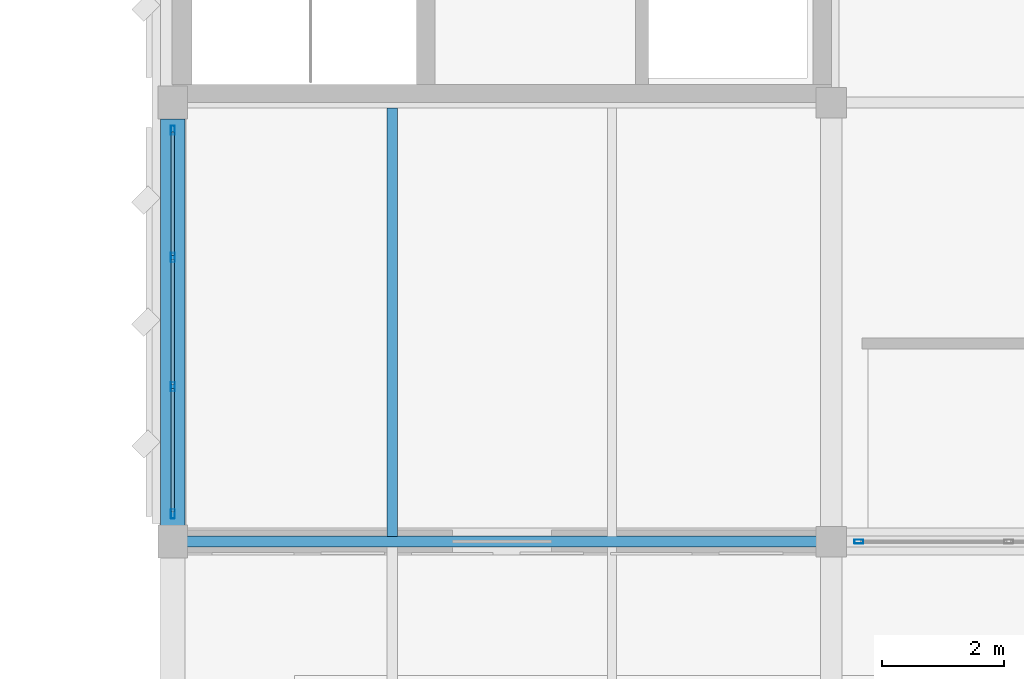
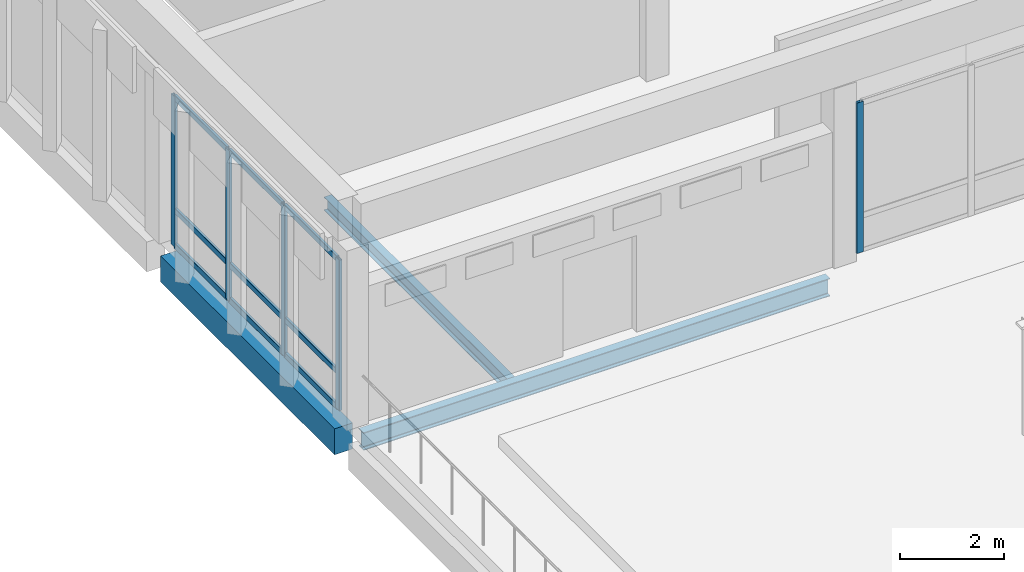
# One storey, part 8 of 33: 14 members, 3 beams, 2 elements without a shape of their own.
"""IFC4 building model written with IfcOpenShell, lengths in metres."""

from ifc_helpers import new_model, si_unit, direction, frame, origin, origin_2d, place, context, subcontext, project, spatial, rectangle, hollow_rectangle, i_section, extrude, material, material_profile, profile_set, type_object, element, aggregate, save


model = new_model("IFC4")

# Units and contexts
model_context = context("Model", 3, precision=1e-05, world=origin(), true_north=direction((0.0, 1.0)))
body_context = subcontext(model_context, "Body", "Model", "MODEL_VIEW")
ifc_project = project(units=[si_unit("LENGTHUNIT", "METRE"), si_unit("AREAUNIT", "SQUARE_METRE"), si_unit("VOLUMEUNIT", "CUBIC_METRE"), si_unit("PLANEANGLEUNIT", "RADIAN"), si_unit("MASSUNIT", "GRAM", prefix="KILO")], contexts=[model_context])

# Site, building, storey
site_placement = place(None, origin())
site = spatial("IfcSite", under=ifc_project, at=site_placement, CompositionType="ELEMENT")
building_placement = place(site_placement, origin())
building = spatial("IfcBuilding", under=site, at=building_placement, Name="Lusvemor Sports Hall", CompositionType="ELEMENT")
storey_placement = place(building_placement, frame((0.0, 0.0, 19.199951171875)))
storey = spatial("IfcBuildingStorey", under=building, at=storey_placement, Name="L04", CompositionType="ELEMENT", Elevation=19.199951171875)

# Beam
ifc_material_1 = material(Name="Steel S355", Category="steel")
ifc_material_profile_1 = material_profile(ifc_material_1, i_section(OverallWidth=0.180908203125, OverallDepth=0.4169921875, WebThickness=0.010986328125, FlangeThickness=0.018310546875, FilletRadius=0.01611328125, at=origin_2d()), Name="W410x85.0")
ifc_profile_set_1 = profile_set([ifc_material_profile_1], Name="Steel S355")
beam_type_1 = type_object("IfcBeamType", Name="BEAM_ST_410H", PredefinedType="BEAM", material=ifc_profile_set_1)
beam_1_placement = place(storey_placement, frame((0.236083984375, 97.199951171875, -0.52734375), z_axis=(1.0, 0.0, 0.0), x_axis=(0.0, 1.0, 0.0)))
element("IfcBeam", 1, at=beam_1_placement, inside=storey, type_object=beam_type_1, Name="Beam L04 N:1-2", PredefinedType="BEAM", context=body_context, shape_type="SweptSolid", body=[
    extrude(i_section(OverallWidth=0.180908203125, OverallDepth=0.4169921875, WebThickness=0.010986328125, FlangeThickness=0.018310546875, FilletRadius=0.01611328125, at=origin_2d()), origin(), (0.0, 0.0, 1.0), 10.31787109375),
])

# Curtain wall, members
ifc_material_2 = material(Name="Thermally broken bronze-anodized aluminium", Category="aluminium")
curtain_wall_type = type_object("IfcCurtainWallType", Name="CW_WING_B", PredefinedType="NOTDEFINED", material=ifc_material_2)
curtain_wall_1_placement = place(storey_placement, origin())
curtain_wall_1 = element("IfcCurtainWall", 2, at=curtain_wall_1_placement, inside=storey, type_object=curtain_wall_type, Name="Curtain Wall CW-L04-W-0-0", PredefinedType="NOTDEFINED")
ifc_material_3 = material(Name="Thermally broken bronze-anodized aluminium", Category="aluminium")
ifc_material_profile_2 = material_profile(ifc_material_3, hollow_rectangle(XDim=0.06494140625, YDim=0.14990234375, WallThickness=0.00390625, InnerFilletRadius=0.00390625, OuterFilletRadius=0.008056640625, at=origin_2d()), Name="CWMUL150x65x4")
ifc_profile_set_2 = profile_set([ifc_material_profile_2], Name="Thermally broken bronze-anodized aluminium")
member_type_1 = type_object("IfcMemberType", Name="CW_MUL_B", PredefinedType="MULLION", material=ifc_profile_set_2)
member_1_placement = place(storey_placement, frame((0.0, 97.652587890625, 0.0), z_axis=(0.0, 0.0, 1.0), x_axis=(-1.0, 0.0, 0.0)))
member_1 = element("IfcMember", 3, at=member_1_placement, type_object=member_type_1, Name="CW02 mullion 1", PredefinedType="MULLION", context=body_context, shape_type="SweptSolid", body=[
    extrude(hollow_rectangle(XDim=0.06494140625, YDim=0.14990234375, WallThickness=0.00390625, InnerFilletRadius=0.00390625, OuterFilletRadius=0.008056640625, at=origin_2d()), origin(), (0.0, 0.0, 1.0), 3.52001953125),
])
member_2_placement = place(storey_placement, frame((0.0, 99.739990234375, 0.0), z_axis=(0.0, 0.0, 1.0), x_axis=(-1.0, 0.0, 0.0)))
member_2 = element("IfcMember", 4, at=member_2_placement, type_object=member_type_1, Name="CW02 mullion 2", PredefinedType="MULLION", context=body_context, shape_type="SweptSolid", body=[
    extrude(hollow_rectangle(XDim=0.06494140625, YDim=0.14990234375, WallThickness=0.00390625, InnerFilletRadius=0.00390625, OuterFilletRadius=0.008056640625, at=origin_2d()), origin(), (0.0, 0.0, 1.0), 3.52001953125),
])
member_3_placement = place(storey_placement, frame((0.0, 101.860107421875, 0.0), z_axis=(0.0, 0.0, 1.0), x_axis=(-1.0, 0.0, 0.0)))
member_3 = element("IfcMember", 5, at=member_3_placement, type_object=member_type_1, Name="CW02 mullion 3", PredefinedType="MULLION", context=body_context, shape_type="SweptSolid", body=[
    extrude(hollow_rectangle(XDim=0.06494140625, YDim=0.14990234375, WallThickness=0.00390625, InnerFilletRadius=0.00390625, OuterFilletRadius=0.008056640625, at=origin_2d()), origin(), (0.0, 0.0, 1.0), 3.52001953125),
])
member_4_placement = place(storey_placement, frame((0.0, 103.947509765625, 0.0), z_axis=(0.0, 0.0, 1.0), x_axis=(-1.0, 0.0, 0.0)))
member_4 = element("IfcMember", 6, at=member_4_placement, type_object=member_type_1, Name="CW02 mullion 4", PredefinedType="MULLION", context=body_context, shape_type="SweptSolid", body=[
    extrude(hollow_rectangle(XDim=0.06494140625, YDim=0.14990234375, WallThickness=0.00390625, InnerFilletRadius=0.00390625, OuterFilletRadius=0.008056640625, at=origin_2d()), origin(), (0.0, 0.0, 1.0), 3.52001953125),
])

# Curtain wall, member
curtain_wall_2_placement = place(storey_placement, origin())
curtain_wall_2 = element("IfcCurtainWall", 7, at=curtain_wall_2_placement, inside=storey, type_object=curtain_wall_type, Name="Curtain Wall CW-L04-S-3-1", PredefinedType="NOTDEFINED")
member_5_placement = place(storey_placement, frame((11.25244140625, 97.199951171875, 0.0), z_axis=(0.0, 0.0, 1.0), x_axis=(0.0, -1.0, 0.0)))
member_5 = element("IfcMember", 8, at=member_5_placement, type_object=member_type_1, Name="CW02 mullion 5", PredefinedType="MULLION", context=body_context, shape_type="SweptSolid", body=[
    extrude(hollow_rectangle(XDim=0.06494140625, YDim=0.14990234375, WallThickness=0.00390625, InnerFilletRadius=0.00390625, OuterFilletRadius=0.008056640625, at=origin_2d()), origin(), (0.0, 0.0, 1.0), 3.52001953125),
])
aggregate(curtain_wall_2, [member_5])

# Member
ifc_material_4 = material(Name="Thermally broken bronze-anodized aluminium", Category="aluminium")
ifc_material_profile_3 = material_profile(ifc_material_4, hollow_rectangle(XDim=0.06005859375, YDim=0.135009765625, WallThickness=0.00390625, InnerFilletRadius=0.00390625, OuterFilletRadius=0.008056640625, at=origin_2d()), Name="CWTRN135x60x4")
ifc_profile_set_3 = profile_set([ifc_material_profile_3], Name="Thermally broken bronze-anodized aluminium")
member_type_2 = type_object("IfcMemberType", Name="CW_TRN_B", PredefinedType="USERDEFINED", material=ifc_profile_set_3)
member_6_placement = place(storey_placement, frame((0.0, 97.68505859375, 0.030029296875), z_axis=(0.0, 1.0, 0.0), x_axis=(-1.0, 0.0, 0.0)))
member_6 = element("IfcMember", 9, at=member_6_placement, type_object=member_type_2, Name="CW02 transom 1.1", ObjectType="TRANSOM", PredefinedType="USERDEFINED", context=body_context, shape_type="SweptSolid", body=[
    extrude(hollow_rectangle(XDim=0.06005859375, YDim=0.135009765625, WallThickness=0.00390625, InnerFilletRadius=0.00390625, OuterFilletRadius=0.008056640625, at=origin_2d()), origin(), (0.0, 0.0, 1.0), 2.0224609375),
])

member_7_placement = place(storey_placement, frame((0.0, 97.68505859375, 0.85009765625), z_axis=(0.0, 1.0, 0.0), x_axis=(-1.0, 0.0, 0.0)))
member_7 = element("IfcMember", 10, at=member_7_placement, type_object=member_type_2, Name="CW02 transom 1.2", ObjectType="TRANSOM", PredefinedType="USERDEFINED", context=body_context, shape_type="SweptSolid", body=[
    extrude(hollow_rectangle(XDim=0.06005859375, YDim=0.135009765625, WallThickness=0.00390625, InnerFilletRadius=0.00390625, OuterFilletRadius=0.008056640625, at=origin_2d()), origin(), (0.0, 0.0, 1.0), 2.0224609375),
])

member_8_placement = place(storey_placement, frame((0.0, 97.68505859375, 3.489990234375), z_axis=(0.0, 1.0, 0.0), x_axis=(-1.0, 0.0, 0.0)))
member_8 = element("IfcMember", 11, at=member_8_placement, type_object=member_type_2, Name="CW02 transom 1.3", ObjectType="TRANSOM", PredefinedType="USERDEFINED", context=body_context, shape_type="SweptSolid", body=[
    extrude(hollow_rectangle(XDim=0.06005859375, YDim=0.135009765625, WallThickness=0.00390625, InnerFilletRadius=0.00390625, OuterFilletRadius=0.008056640625, at=origin_2d()), origin(), (0.0, 0.0, 1.0), 2.0224609375),
])

member_9_placement = place(storey_placement, frame((0.0, 99.7724609375, 0.030029296875), z_axis=(0.0, 1.0, 0.0), x_axis=(-1.0, 0.0, 0.0)))
member_9 = element("IfcMember", 12, at=member_9_placement, type_object=member_type_2, Name="CW02 transom 2.1", ObjectType="TRANSOM", PredefinedType="USERDEFINED", context=body_context, shape_type="SweptSolid", body=[
    extrude(hollow_rectangle(XDim=0.06005859375, YDim=0.135009765625, WallThickness=0.00390625, InnerFilletRadius=0.00390625, OuterFilletRadius=0.008056640625, at=origin_2d()), origin(), (0.0, 0.0, 1.0), 2.054931640625),
])

member_10_placement = place(storey_placement, frame((0.0, 99.7724609375, 0.85009765625), z_axis=(0.0, 1.0, 0.0), x_axis=(-1.0, 0.0, 0.0)))
member_10 = element("IfcMember", 13, at=member_10_placement, type_object=member_type_2, Name="CW02 transom 2.2", ObjectType="TRANSOM", PredefinedType="USERDEFINED", context=body_context, shape_type="SweptSolid", body=[
    extrude(hollow_rectangle(XDim=0.06005859375, YDim=0.135009765625, WallThickness=0.00390625, InnerFilletRadius=0.00390625, OuterFilletRadius=0.008056640625, at=origin_2d()), origin(), (0.0, 0.0, 1.0), 2.054931640625),
])

member_11_placement = place(storey_placement, frame((0.0, 99.7724609375, 3.489990234375), z_axis=(0.0, 1.0, 0.0), x_axis=(-1.0, 0.0, 0.0)))
member_11 = element("IfcMember", 14, at=member_11_placement, type_object=member_type_2, Name="CW02 transom 2.3", ObjectType="TRANSOM", PredefinedType="USERDEFINED", context=body_context, shape_type="SweptSolid", body=[
    extrude(hollow_rectangle(XDim=0.06005859375, YDim=0.135009765625, WallThickness=0.00390625, InnerFilletRadius=0.00390625, OuterFilletRadius=0.008056640625, at=origin_2d()), origin(), (0.0, 0.0, 1.0), 2.054931640625),
])

member_12_placement = place(storey_placement, frame((0.0, 101.892578125, 0.030029296875), z_axis=(0.0, 1.0, 0.0), x_axis=(-1.0, 0.0, 0.0)))
member_12 = element("IfcMember", 15, at=member_12_placement, type_object=member_type_2, Name="CW02 transom 3.1", ObjectType="TRANSOM", PredefinedType="USERDEFINED", context=body_context, shape_type="SweptSolid", body=[
    extrude(hollow_rectangle(XDim=0.06005859375, YDim=0.135009765625, WallThickness=0.00390625, InnerFilletRadius=0.00390625, OuterFilletRadius=0.008056640625, at=origin_2d()), origin(), (0.0, 0.0, 1.0), 2.0224609375),
])

member_13_placement = place(storey_placement, frame((0.0, 101.892578125, 0.85009765625), z_axis=(0.0, 1.0, 0.0), x_axis=(-1.0, 0.0, 0.0)))
member_13 = element("IfcMember", 16, at=member_13_placement, type_object=member_type_2, Name="CW02 transom 3.2", ObjectType="TRANSOM", PredefinedType="USERDEFINED", context=body_context, shape_type="SweptSolid", body=[
    extrude(hollow_rectangle(XDim=0.06005859375, YDim=0.135009765625, WallThickness=0.00390625, InnerFilletRadius=0.00390625, OuterFilletRadius=0.008056640625, at=origin_2d()), origin(), (0.0, 0.0, 1.0), 2.0224609375),
])

member_14_placement = place(storey_placement, frame((0.0, 101.892578125, 3.489990234375), z_axis=(0.0, 1.0, 0.0), x_axis=(-1.0, 0.0, 0.0)))
member_14 = element("IfcMember", 17, at=member_14_placement, type_object=member_type_2, Name="CW02 transom 3.3", ObjectType="TRANSOM", PredefinedType="USERDEFINED", context=body_context, shape_type="SweptSolid", body=[
    extrude(hollow_rectangle(XDim=0.06005859375, YDim=0.135009765625, WallThickness=0.00390625, InnerFilletRadius=0.00390625, OuterFilletRadius=0.008056640625, at=origin_2d()), origin(), (0.0, 0.0, 1.0), 2.0224609375),
])

aggregate(curtain_wall_1, [member_1, member_2, member_3, member_4, member_6, member_7, member_8, member_9, member_10, member_11, member_12, member_13, member_14])

# Beams
ifc_material_5 = material(Name="Steel S355", Category="steel")
ifc_material_profile_4 = material_profile(ifc_material_5, i_section(OverallWidth=0.1669921875, OverallDepth=0.31689453125, WebThickness=0.007568359375, FlangeThickness=0.01318359375, FilletRadius=0.014892578125, at=origin_2d()), Name="W310x52.0")
ifc_profile_set_4 = profile_set([ifc_material_profile_4], Name="Steel S355")
beam_type_2 = type_object("IfcBeamType", Name="JOIST_ST_310M", PredefinedType="JOIST", material=ifc_profile_set_4)
beam_2_placement = place(storey_placement, frame((3.60009765625, 97.28662109375, -0.4775390625), z_axis=(0.0, 1.0, 0.0), x_axis=(-1.0, 0.0, 0.0)))
element("IfcBeam", 18, at=beam_2_placement, inside=storey, type_object=beam_type_2, Name="Secondary Joist L04 1-2/N-P #1", PredefinedType="JOIST", context=body_context, shape_type="SweptSolid", body=[
    extrude(i_section(OverallWidth=0.1669921875, OverallDepth=0.31689453125, WebThickness=0.007568359375, FlangeThickness=0.01318359375, FilletRadius=0.014892578125, at=origin_2d()), origin(), (0.0, 0.0, 1.0), 7.02685546875),
])
ifc_material_6 = material(Name="Concrete C40/50", Category="concrete")
ifc_material_profile_5 = material_profile(ifc_material_6, rectangle(XDim=0.39990234375, YDim=0.610107421875, at=origin_2d()), Name="RC400x610")
ifc_profile_set_5 = profile_set([ifc_material_profile_5], Name="Concrete C40/50")
beam_type_3 = type_object("IfcBeamType", Name="SPAND_EXT_650", PredefinedType="SPANDREL", material=ifc_profile_set_5)
beam_3_placement = place(storey_placement, frame((0.0, 97.466064453125, -0.594970703125), z_axis=(0.0, 1.0, 0.0), x_axis=(-1.0, 0.0, 0.0)))
element("IfcBeam", 19, at=beam_3_placement, inside=storey, type_object=beam_type_3, Name="Beam L04 1:N-P", PredefinedType="SPANDREL", context=body_context, shape_type="SweptSolid", body=[
    extrude(rectangle(XDim=0.39990234375, YDim=0.610107421875, at=origin_2d()), origin(), (0.0, 0.0, 1.0), 6.66796875),
])

save(model, "model.ifc")
